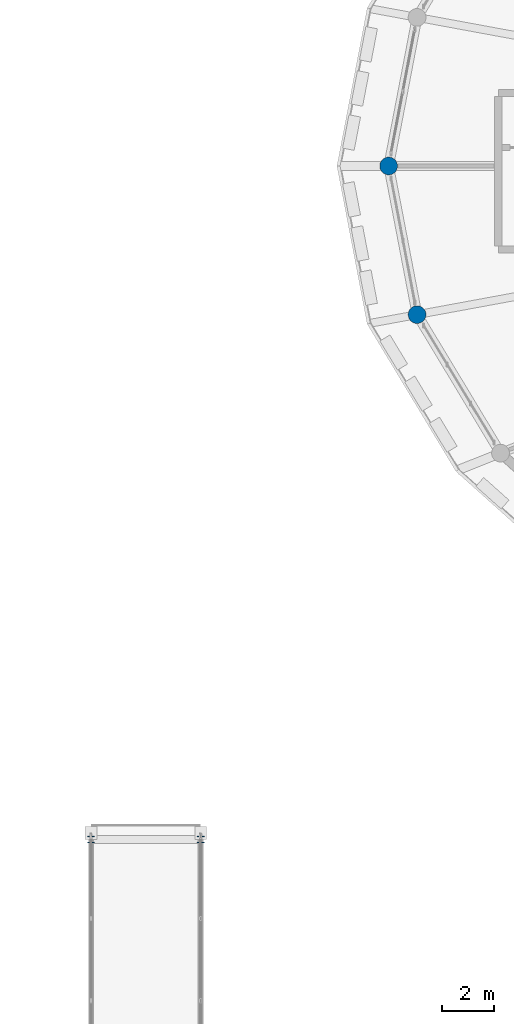
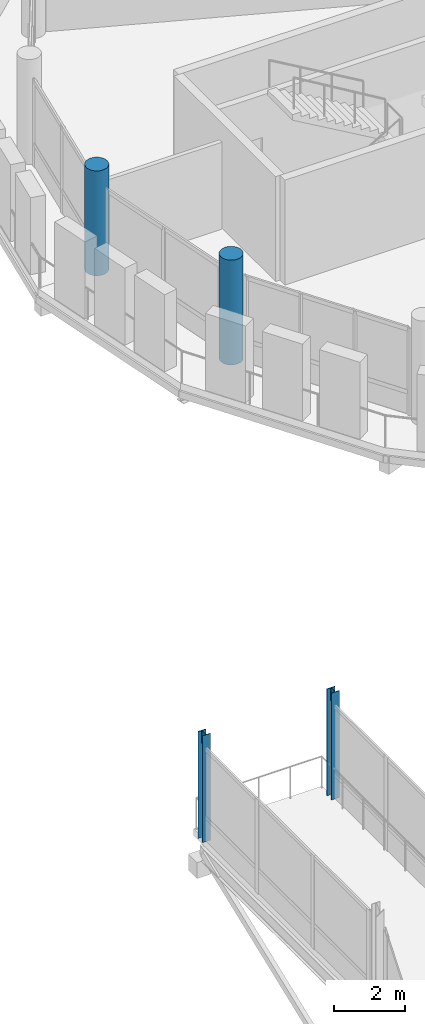
# One storey, part 4 of 128: 4 columns.
"""IFC4 building model written with IfcOpenShell, lengths in metres."""

from ifc_helpers import new_model, si_unit, direction, frame, origin, origin_2d, place, context, subcontext, project, spatial, circle, i_section, extrude, material, material_profile, profile_set, type_object, element, save


model = new_model("IFC4")

# Units and contexts
model_context = context("Model", 3, precision=1e-05, world=origin(), true_north=direction((0.0, 1.0)))
body_context = subcontext(model_context, "Body", "Model", "MODEL_VIEW")
ifc_project = project(units=[si_unit("LENGTHUNIT", "METRE"), si_unit("AREAUNIT", "SQUARE_METRE"), si_unit("VOLUMEUNIT", "CUBIC_METRE"), si_unit("PLANEANGLEUNIT", "RADIAN"), si_unit("MASSUNIT", "GRAM", prefix="KILO")], contexts=[model_context])

# Site, building, storey
site_placement = place(None, origin())
site = spatial("IfcSite", under=ifc_project, at=site_placement, CompositionType="ELEMENT")
building_placement = place(site_placement, origin())
building = spatial("IfcBuilding", under=site, at=building_placement, Name="Zornivar Specialist Clinic", CompositionType="ELEMENT")
storey_placement = place(building_placement, frame((0.0, 0.0, 4.5)))
storey = spatial("IfcBuildingStorey", under=building, at=storey_placement, Name="L01", CompositionType="ELEMENT", Elevation=4.5)

# Columns
ifc_material_1 = material(Name="Concrete C35/45", Category="concrete")
ifc_material_profile_1 = material_profile(ifc_material_1, circle(Radius=0.340087890625, at=origin_2d()), Name="RC D680")
ifc_profile_set_1 = profile_set([ifc_material_profile_1], Name="Concrete C35/45")
column_type_1 = type_object("IfcColumnType", Name="COL-RC-D680", PredefinedType="COLUMN", material=ifc_profile_set_1)
for number, where, z_axis, x_axis, name in (
    (1, (61.60009765625, 57.60009765625, 0.0), (0.0, 0.0, 1.0), (1.0, 0.0, 0.0), "col:V1:L01:out:12"),
    (2, (62.68994140625, 51.906005859375, 0.0), (0.0, 0.0, 1.0), (1.0, 0.0, 0.0), "col:V1:L01:out:13"),
):
    element("IfcColumn", number, at=place(storey_placement, frame(where, z_axis=z_axis, x_axis=x_axis)), inside=storey, type_object=column_type_1, Name=name, PredefinedType="COLUMN", context=body_context, shape_type="SweptSolid", body=[
        extrude(circle(Radius=0.340087890625, at=origin_2d()), origin(), (0.0, 0.0, 1.0), 3.610107421875),
    ])
ifc_material_2 = material(Name="Steel S355J2", Category="steel")
ifc_material_profile_2 = material_profile(ifc_material_2, i_section(OverallWidth=0.260009765625, OverallDepth=0.260009765625, WebThickness=0.010009765625, FlangeThickness=0.017578125, FilletRadius=0.02392578125, at=origin_2d()), Name="HEB 260")
ifc_profile_set_2 = profile_set([ifc_material_profile_2], Name="Steel S355J2")
column_type_2 = type_object("IfcColumnType", Name="COL-STL-HEB260", PredefinedType="COLUMN", material=ifc_profile_set_2)
for number, where, z_axis, x_axis, name in (
    (3, (50.199951171875, 31.800048828125, 0.0), (0.0, 0.0, 1.0), (1.0, 0.0, 0.0), "col:BR1:L01:502_318"),
    (4, (54.39990234375, 31.800048828125, 0.0), (0.0, 0.0, 1.0), (1.0, 0.0, 0.0), "col:BR1:L01:544_318"),
):
    element("IfcColumn", number, at=place(storey_placement, frame(where, z_axis=z_axis, x_axis=x_axis)), inside=storey, type_object=column_type_2, Name=name, PredefinedType="COLUMN", context=body_context, shape_type="SweptSolid", body=[
        extrude(i_section(OverallWidth=0.260009765625, OverallDepth=0.260009765625, WebThickness=0.010009765625, FlangeThickness=0.017578125, FilletRadius=0.02392578125, at=origin_2d()), origin(), (0.0, 0.0, 1.0), 3.679931640625),
    ])

save(model, "model.ifc")
